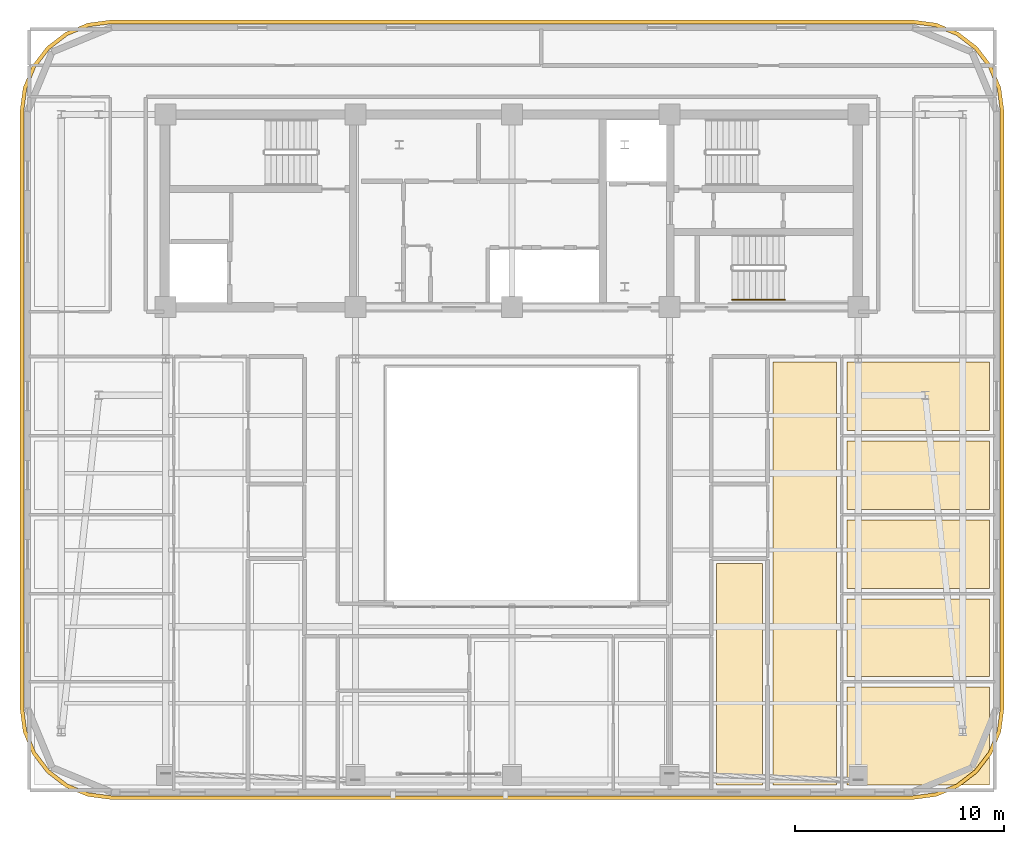
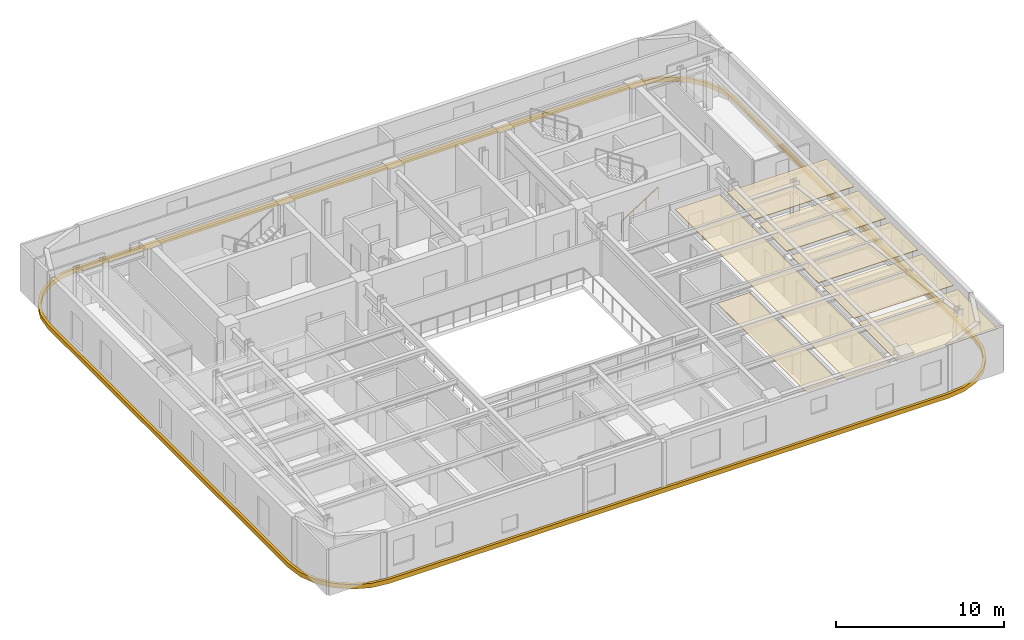
# One storey, part 13 of 14: 8 coverings, 1 railing.
"""IFC4 building model written with IfcOpenShell, lengths in metres."""

from ifc_helpers import new_model, si_unit, direction, frame, origin, origin_2d, place, context, subcontext, project, spatial, polyline, rectangle, outline, extrude, material, layer, layer_set, type_object, element, save


model = new_model("IFC4")

# Units and contexts
model_context = context("Model", 3, precision=1e-05, world=origin(), true_north=direction((0.0, 1.0)))
body_context = subcontext(model_context, "Body", "Model", "MODEL_VIEW")
ifc_project = project(units=[si_unit("LENGTHUNIT", "METRE"), si_unit("AREAUNIT", "SQUARE_METRE"), si_unit("VOLUMEUNIT", "CUBIC_METRE"), si_unit("PLANEANGLEUNIT", "RADIAN"), si_unit("MASSUNIT", "GRAM", prefix="KILO")], contexts=[model_context])

# Site, building, storey
site_placement = place(None, origin())
site = spatial("IfcSite", under=ifc_project, at=site_placement, CompositionType="ELEMENT")
building_placement = place(site_placement, origin())
building = spatial("IfcBuilding", under=site, at=building_placement, Name="Zarnavel Station Tower", CompositionType="ELEMENT")
storey_placement = place(building_placement, frame((0.0, 0.0, 229.199951171875)))
storey = spatial("IfcBuildingStorey", under=building, at=storey_placement, Name="L62", CompositionType="ELEMENT", Elevation=229.199951171875)

# Coverings
ifc_material_1 = material(Name="Perforated Gypsum and Mineral-Wool Acoustic Ceiling", Category="concrete")
ifc_layer = layer(ifc_material_1, 0.0400390625)
ifc_layer_set = layer_set([ifc_layer], Name="COV_CEIL_ACOUSTIC")
covering_type_1 = type_object("IfcCoveringType", Name="COV_CEIL_ACOUSTIC", PredefinedType="CEILING", material=ifc_layer_set)
covering_1_placement = place(storey_placement, frame((0.0, 0.0, 3.02001953125)))
element("IfcCovering", 1, at=covering_1_placement, inside=storey, type_object=covering_type_1, Name="L62 UE1LV Acoustic Ceiling", PredefinedType="CEILING", context=body_context, shape_type="SweptSolid", body=[
    extrude(outline(polyline([(41.300048828125, 4.909912109375), (44.35888671875, 4.909912109375), (44.35888671875, 25.199951171875), (41.300048828125, 25.199951171875), (41.300048828125, 4.909912109375)])), origin(), (0.0, 0.0, 1.0), 0.0400390625),
])
covering_2_placement = place(storey_placement, frame((0.0, 0.0, 3.02001953125)))
element("IfcCovering", 2, at=covering_2_placement, inside=storey, type_object=covering_type_1, Name="L62 UE1KT Acoustic Ceiling", PredefinedType="CEILING", context=body_context, shape_type="SweptSolid", body=[
    extrude(outline(polyline([(38.60009765625, 4.909912109375), (40.800048828125, 4.909912109375), (40.800048828125, 15.52099609375), (38.60009765625, 15.52099609375), (38.60009765625, 4.909912109375)])), origin(), (0.0, 0.0, 1.0), 0.0400390625),
])
covering_3_placement = place(storey_placement, frame((0.0, 0.0, 3.02001953125)))
element("IfcCovering", 3, at=covering_3_placement, inside=storey, type_object=covering_type_1, Name="L62 UE1B1 Acoustic Ceiling", PredefinedType="CEILING", context=body_context, shape_type="SweptSolid", body=[
    extrude(outline(polyline([(44.85888671875, 4.909912109375), (51.68994140625, 4.909912109375), (51.68994140625, 9.60693359375), (44.85888671875, 9.60693359375), (44.85888671875, 4.909912109375)])), origin(), (0.0, 0.0, 1.0), 0.0400390625),
])
covering_4_placement = place(storey_placement, frame((0.0, 0.0, 3.02001953125)))
element("IfcCovering", 4, at=covering_4_placement, inside=storey, type_object=covering_type_1, Name="L62 UE1B2 Acoustic Ceiling", PredefinedType="CEILING", context=body_context, shape_type="SweptSolid", body=[
    extrude(outline(polyline([(44.85888671875, 10.10693359375), (51.68994140625, 10.10693359375), (51.68994140625, 13.8349609375), (44.85888671875, 13.8349609375), (44.85888671875, 10.10693359375)])), origin(), (0.0, 0.0, 1.0), 0.0400390625),
])
covering_5_placement = place(storey_placement, frame((0.0, 0.0, 3.02001953125)))
element("IfcCovering", 5, at=covering_5_placement, inside=storey, type_object=covering_type_1, Name="L62 UE1B3 Acoustic Ceiling", PredefinedType="CEILING", context=body_context, shape_type="SweptSolid", body=[
    extrude(outline(polyline([(44.85888671875, 14.3349609375), (51.68994140625, 14.3349609375), (51.68994140625, 17.623046875), (44.85888671875, 17.623046875), (44.85888671875, 14.3349609375)])), origin(), (0.0, 0.0, 1.0), 0.0400390625),
])
covering_6_placement = place(storey_placement, frame((0.0, 0.0, 3.02001953125)))
element("IfcCovering", 6, at=covering_6_placement, inside=storey, type_object=covering_type_1, Name="L62 UE1B4 Acoustic Ceiling", PredefinedType="CEILING", context=body_context, shape_type="SweptSolid", body=[
    extrude(outline(polyline([(44.85888671875, 18.123046875), (51.68994140625, 18.123046875), (51.68994140625, 21.410888671875), (44.85888671875, 21.410888671875), (44.85888671875, 18.123046875)])), origin(), (0.0, 0.0, 1.0), 0.0400390625),
])
covering_7_placement = place(storey_placement, frame((0.0, 0.0, 3.02001953125)))
element("IfcCovering", 7, at=covering_7_placement, inside=storey, type_object=covering_type_1, Name="L62 UE1B5 Acoustic Ceiling", PredefinedType="CEILING", context=body_context, shape_type="SweptSolid", body=[
    extrude(outline(polyline([(44.85888671875, 21.910888671875), (51.68994140625, 21.910888671875), (51.68994140625, 25.199951171875), (44.85888671875, 25.199951171875), (44.85888671875, 21.910888671875)])), origin(), (0.0, 0.0, 1.0), 0.0400390625),
])
ifc_material_2 = material(Name="Precast concrete C45/55 (Pale Travertine Slab Band)", Category="masonry")
covering_type_2 = type_object("IfcCoveringType", Name="COV_TRAVERTINE_BAND", PredefinedType="CLADDING", material=ifc_material_2)
covering_8_placement = place(storey_placement, frame((0.0, 0.0, -0.260009765625)))
element("IfcCovering", 8, at=covering_8_placement, inside=storey, type_object=covering_type_2, Name="L62 Pale Travertine Slab-Edge Band", PredefinedType="CLADDING", context=body_context, shape_type="SweptSolid", body=[
    extrude(outline(polyline([(48.0, 4.219970703125), (49.133544921875, 4.369140625), (50.18994140625, 4.806884765625), (51.09716796875, 5.5029296875), (51.793212890625, 6.409912109375), (52.230712890625, 7.46630859375), (52.3798828125, 8.60009765625), (52.3798828125, 37.199951171875), (52.230712890625, 38.33349609375), (51.793212890625, 39.389892578125), (51.09716796875, 40.297119140625), (50.18994140625, 40.9931640625), (49.133544921875, 41.430908203125), (48.0, 41.580078125), (9.60009765625, 41.580078125), (8.46630859375, 41.430908203125), (7.409912109375, 40.9931640625), (6.5029296875, 40.297119140625), (5.806884765625, 39.389892578125), (5.369140625, 38.33349609375), (5.219970703125, 37.199951171875), (5.219970703125, 8.60009765625), (5.369140625, 7.46630859375), (5.806884765625, 6.409912109375), (6.5029296875, 5.5029296875), (7.409912109375, 4.806884765625), (8.46630859375, 4.369140625), (9.60009765625, 4.219970703125), (48.0, 4.219970703125)]), holes=[polyline([(48.0, 4.39990234375), (49.0869140625, 4.543212890625), (50.10009765625, 4.962646484375), (50.9697265625, 5.630126953125), (51.63720703125, 6.5), (52.056884765625, 7.512939453125), (52.199951171875, 8.60009765625), (52.199951171875, 37.199951171875), (52.056884765625, 38.287109375), (51.63720703125, 39.300048828125), (50.9697265625, 40.169921875), (50.10009765625, 40.83740234375), (49.0869140625, 41.2568359375), (48.0, 41.39990234375), (9.60009765625, 41.39990234375), (8.512939453125, 41.2568359375), (7.5, 40.83740234375), (6.630126953125, 40.169921875), (5.962646484375, 39.300048828125), (5.543212890625, 38.287109375), (5.39990234375, 37.199951171875), (5.39990234375, 8.60009765625), (5.543212890625, 7.512939453125), (5.962646484375, 6.5), (6.630126953125, 5.630126953125), (7.5, 4.962646484375), (8.512939453125, 4.543212890625), (9.60009765625, 4.39990234375), (48.0, 4.39990234375)])]), origin(), (0.0, 0.0, 1.0), 0.320068359375),
])

# Railing
ifc_material_3 = material(Name="Brushed Stainless Steel S355J2 Handrail", Category="steel")
railing_type = type_object("IfcRailingType", Name="HR_STAIR_900", PredefinedType="HANDRAIL", material=ifc_material_3)
railing_placement = place(storey_placement, frame((39.35009765625, 28.169921875, 0.179931640625)))
element("IfcRailing", 9, at=railing_placement, inside=storey, type_object=railing_type, Name="L62 ST3 stair handrail 1", PredefinedType="HANDRAIL", context=body_context, shape_type="SweptSolid", body=[
    extrude(rectangle(XDim=0.048095703125, YDim=0.048095703125, at=origin_2d()), frame((0.001708984375, 0.0, 0.876953125), z_axis=(0.841162588446, 0.0, 0.540782303519), x_axis=(0.0, 1.0, 0.0)), (0.0, 0.0, 1.0), 2.991943359375),
    extrude(rectangle(XDim=0.0419921875, YDim=0.0419921875, at=origin_2d()), origin(), (0.0, 0.0, 1.0), 0.851806640625),
    extrude(rectangle(XDim=0.0419921875, YDim=0.0419921875, at=origin_2d()), frame((0.840087890625, 0.0, 0.5400390625)), (0.0, 0.0, 1.0), 0.851806640625),
    extrude(rectangle(XDim=0.0419921875, YDim=0.0419921875, at=origin_2d()), frame((1.679931640625, 0.0, 1.080078125)), (0.0, 0.0, 1.0), 0.851806640625),
    extrude(rectangle(XDim=0.0419921875, YDim=0.0419921875, at=origin_2d()), frame((2.52001953125, 0.0, 1.6201171875)), (0.0, 0.0, 1.0), 0.851806640625),
])

save(model, "model.ifc")
